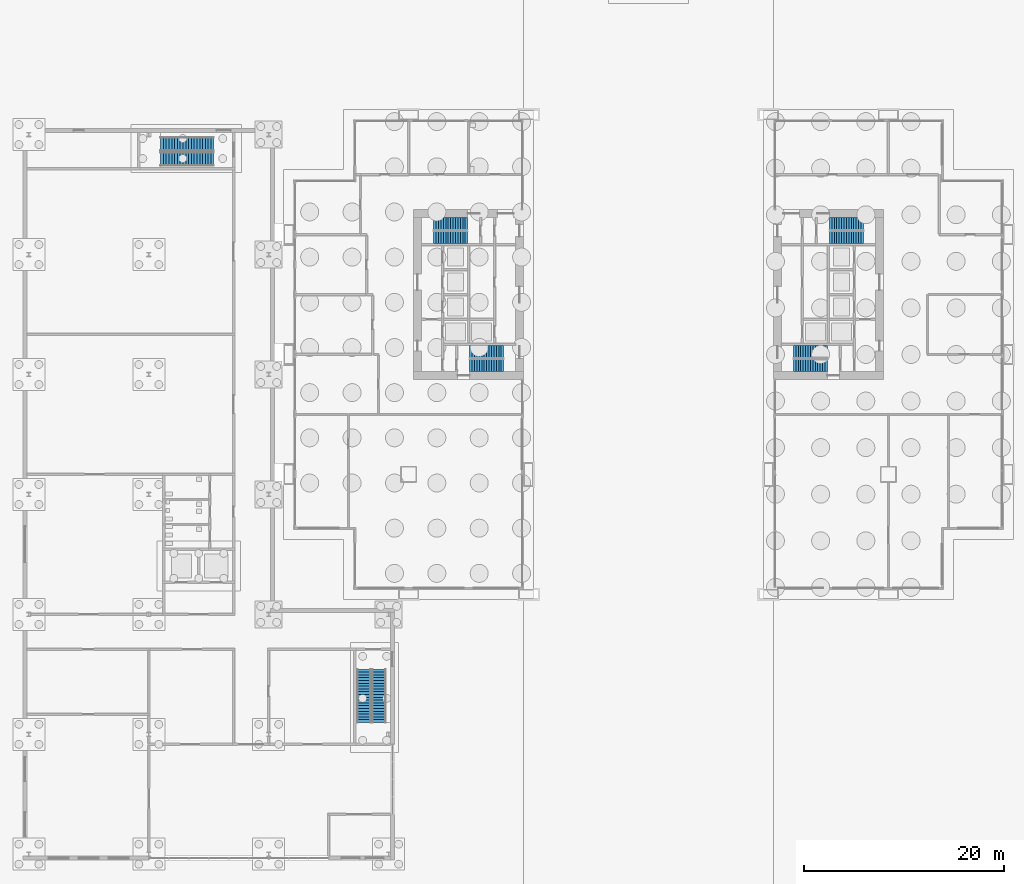
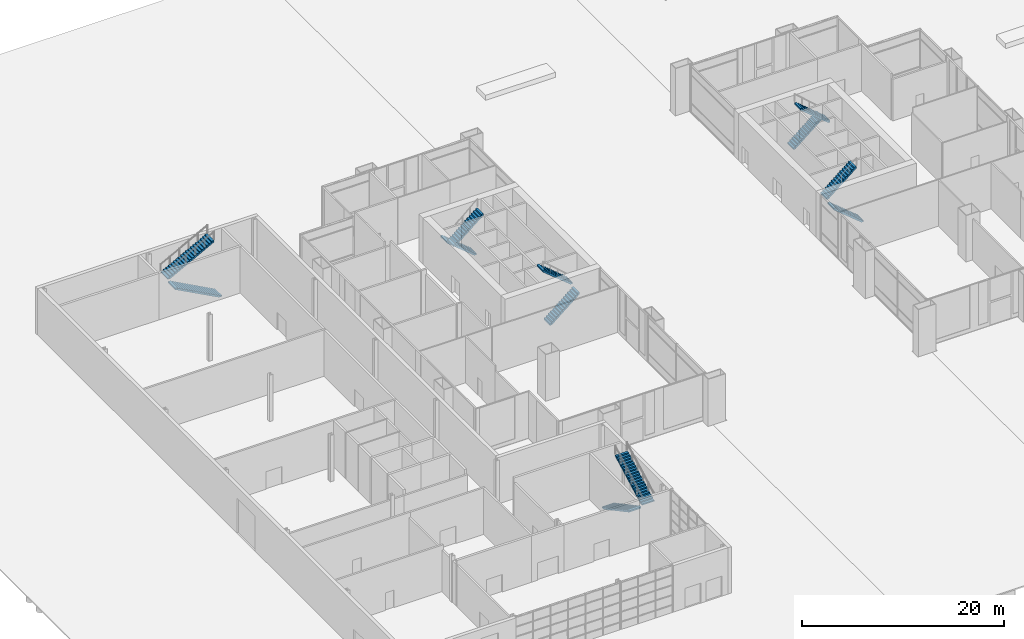
# One storey, part 26 of 29: 12 stair flights, 6 elements without a shape of their own.
"""IFC4 building model written with IfcOpenShell, lengths in metres."""

import ifcopenshell
import ifcopenshell.guid

model = None  # the IFC model being written
_history = None  # IfcOwnerHistory: only IFC2X3 demands one
_inside = {}  # id of a spatial element -> (the spatial element, [elements in it])
_under = {}  # id of a project, library or spatial element -> (it, [spatial elements below it])
_declared = {}  # id of a project -> (the project, [libraries it declares])
_typed = {}  # id of a type object -> (the type object, [elements of that type])
_made_of = {}  # id of a material, layer set ... -> (it, [elements and type objects made of it])


def new_model(schema):
    """Start an empty IFC model of exactly this schema.

    Asked for "IFC4X3", IfcOpenShell would pick the latest addendum, in which some entities
    have other attributes; the version numbers below select the first issue.
    IFC2X3 requires an IfcOwnerHistory on every rooted entity: one is made here for all.
    """
    global model, _history
    if schema == "IFC4X3":
        model = ifcopenshell.file(schema_version=(4, 3, 0, 0))
    else:
        model = ifcopenshell.file(schema=schema)
    _inside.clear()
    _under.clear()
    _declared.clear()
    _typed.clear()
    _made_of.clear()
    _history = None
    if model.schema == "IFC2X3":
        org = make("IfcOrganization", Name="unknown")
        user = make(
            "IfcPersonAndOrganization",
            ThePerson=make("IfcPerson", FamilyName="unknown"),
            TheOrganization=org,
        )
        app = make(
            "IfcApplication",
            ApplicationDeveloper=org,
            Version="unknown",
            ApplicationFullName="unknown",
            ApplicationIdentifier="unknown",
        )
        _history = make(
            "IfcOwnerHistory",
            OwningUser=user,
            OwningApplication=app,
            ChangeAction="ADDED",
            CreationDate=0,
        )
    return model


def make(cls, **values):
    """One entity of the class cls with the attributes given. An attribute that is None is left unset."""
    return model.create_entity(
        cls, **{name: value for name, value in values.items() if value is not None}
    )


def rooted(cls, **values):
    """An entity with a GlobalId (a new one), such as an element, a storey or a relation."""
    return make(cls, GlobalId=ifcopenshell.guid.new(), OwnerHistory=_history, **values)


def si_unit(unit_type, name, prefix=None):
    """IfcSIUnit, for example si_unit("LENGTHUNIT", "METRE", prefix="MILLI")."""
    return make("IfcSIUnit", UnitType=unit_type, Prefix=prefix, Name=name)


def assignment(units):
    """IfcUnitAssignment: the units of a project."""
    return None if units is None else make("IfcUnitAssignment", Units=units)


def point(xyz):
    """IfcCartesianPoint."""
    return None if xyz is None else make("IfcCartesianPoint", Coordinates=xyz)


def direction(xyz):
    """IfcDirection."""
    return None if xyz is None else make("IfcDirection", DirectionRatios=xyz)


def frame(location, z_axis=None, x_axis=None):
    """IfcAxis2Placement3D, a coordinate frame: its origin and axes. An axis left out is left unset."""
    return make(
        "IfcAxis2Placement3D",
        Location=point(location),
        Axis=direction(z_axis),
        RefDirection=direction(x_axis),
    )


def origin():
    """The frame at (0, 0, 0) with its axes left unset."""
    return frame((0.0, 0.0, 0.0))


def place(relative_to, where):
    """IfcLocalPlacement: puts the frame where relative to a parent placement (None: the world)."""
    return make(
        "IfcLocalPlacement", PlacementRelTo=relative_to, RelativePlacement=where
    )


def context(
    kind, dimensions, precision=None, world=None, true_north=None, identifier=None
):
    """IfcGeometricRepresentationContext, for example the 3D "Model" context."""
    return make(
        "IfcGeometricRepresentationContext",
        ContextIdentifier=identifier,
        ContextType=kind,
        CoordinateSpaceDimension=dimensions,
        Precision=precision,
        WorldCoordinateSystem=world,
        TrueNorth=true_north,
    )


def subcontext(parent, identifier, kind, view, scale=None):
    """IfcGeometricRepresentationSubContext, for example "Body" below "Model"."""
    return make(
        "IfcGeometricRepresentationSubContext",
        ContextIdentifier=identifier,
        ContextType=kind,
        ParentContext=parent,
        TargetScale=scale,
        TargetView=view,
    )


def project(units=None, contexts=None):
    """IfcProject with its units and contexts."""
    return rooted(
        "IfcProject",
        Name="project",
        RepresentationContexts=contexts,
        UnitsInContext=assignment(units),
    )


def spatial(cls, under=None, at=None, **own):
    """A site, building, storey or space (cls), placed at a placement, below another one or the project."""
    s = rooted(cls, ObjectPlacement=at, **own)
    if under is not None:
        _under.setdefault(under.id(), (under, []))[1].append(s)
    return s


def polyline(points):
    """IfcPolyline through the points."""
    return make("IfcPolyline", Points=[point(p) for p in points])


def outline(outer, holes=None, kind="AREA"):
    """IfcArbitraryClosedProfileDef: a profile drawn as a closed curve; with holes, ...WithVoids."""
    if holes is None:
        return make("IfcArbitraryClosedProfileDef", ProfileType=kind, OuterCurve=outer)
    return make(
        "IfcArbitraryProfileDefWithVoids",
        ProfileType=kind,
        OuterCurve=outer,
        InnerCurves=holes,
    )


def extrude(swept, where, along, depth):
    """IfcExtrudedAreaSolid: the profile swept, set in the frame where, extruded along a direction by depth."""
    return make(
        "IfcExtrudedAreaSolid",
        SweptArea=swept,
        Position=where,
        ExtrudedDirection=direction(along),
        Depth=depth,
    )


def shape(context_of_items, identifier, shape_type, items):
    """IfcShapeRepresentation: the items that make up one representation, for example the "Body"."""
    return make(
        "IfcShapeRepresentation",
        ContextOfItems=context_of_items,
        RepresentationIdentifier=identifier,
        RepresentationType=shape_type,
        Items=items,
    )


def material(Name=None, Category=None):
    """IfcMaterial."""
    return make("IfcMaterial", Name=Name, Category=Category)


def made_of(thing, what):
    """Note that an element or type object is made of a material, layer set ...; save() writes the relation."""
    if what is not None:
        _made_of.setdefault(what.id(), (what, []))[1].append(thing)
    return thing


def type_object(cls, material=None, **own):
    """A type object (cls), such as IfcWallType, which elements share."""
    return made_of(rooted(cls, **own), material)


def element(
    cls,
    number,
    at=None,
    inside=None,
    cuts=None,
    type_object=None,
    material=None,
    context=None,
    identifier="Body",
    shape_type=None,
    held_by="IfcProductDefinitionShape",
    body=None,
    shapes=None,
    **own,
):
    """One element of the class cls, such as IfcWall. Its Tag is "e" and its number.

    at: its placement. inside: the storey or other place that contains it. cuts: it is an
    opening in that element (IfcRelVoidsElement). A single representation is given by context,
    identifier, shape_type and body (its items); several are given by shapes. held_by: the class
    of the entity that holds the representations. save() writes the other relations.
    """
    e = rooted(cls, Tag="e%d" % number, ObjectPlacement=at, **own)
    if body is not None:
        shapes = [shape(context, identifier, shape_type, body)]
    if shapes is not None:
        e.Representation = make(held_by, Representations=shapes)
    if inside is not None:
        _inside.setdefault(inside.id(), (inside, []))[1].append(e)
    if cuts is not None:
        rooted(
            "IfcRelVoidsElement", RelatingBuildingElement=cuts, RelatedOpeningElement=e
        )
    if type_object is not None:
        _typed.setdefault(type_object.id(), (type_object, []))[1].append(e)
    return made_of(e, material)


def aggregate(whole, parts):
    """IfcRelAggregates: a whole, such as a stair, and the parts it consists of."""
    return rooted("IfcRelAggregates", RelatingObject=whole, RelatedObjects=parts)


def save(model, path):
    """Write the relations noted so far, then the file.

    IfcRelAggregates (storeys below a building ...), IfcRelContainedInSpatialStructure (elements
    in a storey), IfcRelDefinesByType, IfcRelAssociatesMaterial and IfcRelDeclares: one each for
    every whole, place, type object, material and project.
    """
    for whole, parts in _under.values():
        aggregate(whole, parts)
    for where, things in _inside.values():
        rooted(
            "IfcRelContainedInSpatialStructure",
            RelatedElements=things,
            RelatingStructure=where,
        )
    for kind, things in _typed.values():
        rooted("IfcRelDefinesByType", RelatedObjects=things, RelatingType=kind)
    for what, things in _made_of.values():
        rooted("IfcRelAssociatesMaterial", RelatedObjects=things, RelatingMaterial=what)
    for by, libraries in _declared.values():
        rooted("IfcRelDeclares", RelatingContext=by, RelatedDefinitions=libraries)
    model.write(path)


model = new_model("IFC4")

# Units and contexts
model_context = context("Model", 3, precision=1e-05, world=origin(), true_north=direction((0.0, 1.0)))
body_context = subcontext(model_context, "Body", "Model", "MODEL_VIEW")
ifc_project = project(units=[si_unit("LENGTHUNIT", "METRE"), si_unit("AREAUNIT", "SQUARE_METRE"), si_unit("VOLUMEUNIT", "CUBIC_METRE"), si_unit("PLANEANGLEUNIT", "RADIAN"), si_unit("MASSUNIT", "GRAM", prefix="KILO")], contexts=[model_context])

# Site, building, storey
site_placement = place(None, origin())
site = spatial("IfcSite", under=ifc_project, at=site_placement, CompositionType="ELEMENT")
building_placement = place(site_placement, origin())
building = spatial("IfcBuilding", under=site, at=building_placement, Name="Kitamizu Gate Tower and Museum", CompositionType="ELEMENT")
storey_placement = place(building_placement, origin())
storey = spatial("IfcBuildingStorey", under=building, at=storey_placement, Name="L00", CompositionType="ELEMENT", Elevation=0.0)

# Stair, stair flights
ifc_material_1 = material(Name="Concrete Fc30", Category="concrete")
stair_type_1 = type_object("IfcStairType", Name="Museum stair 40 risers", PredefinedType="HALF_TURN_STAIR", material=ifc_material_1)
stair_1_placement = place(storey_placement, origin())
stair_1 = element("IfcStair", 1, at=stair_1_placement, inside=storey, type_object=stair_type_1, Name="Exit stair S", PredefinedType="HALF_TURN_STAIR")
ifc_material_2 = material(Name="Concrete Fc30", Category="concrete")
stair_flight_type_1 = type_object("IfcStairFlightType", Name="Museum stair flight 1400", PredefinedType="STRAIGHT", material=ifc_material_2)
stair_flight_1_placement = place(storey_placement, frame((7.550048828125, -7.5, 0.0), z_axis=(0.0, 0.0, 1.0), x_axis=(0.0, -1.0, 0.0)))
stair_flight_1 = element("IfcStairFlight", 2, at=stair_flight_1_placement, type_object=stair_flight_type_1, Name="MST1 flight 1", NumberOfRisers=20, NumberOfTreads=19, PredefinedType="STRAIGHT", RiserHeight=0.15, TreadLength=0.28, context=body_context, shape_type="SweptSolid", body=[
    extrude(outline(polyline([(0.0, 0.0), (0.0, 0.14990234375), (0.280029296875, 0.14990234375), (0.280029296875, 0.300048828125), (0.56005859375, 0.300048828125), (0.56005859375, 0.449951171875), (0.840087890625, 0.449951171875), (0.840087890625, 0.60009765625), (1.1201171875, 0.60009765625), (1.1201171875, 0.75), (1.39990234375, 0.75), (1.39990234375, 0.89990234375), (1.679931640625, 0.89990234375), (1.679931640625, 1.050048828125), (1.9599609375, 1.050048828125), (1.9599609375, 1.199951171875), (2.239990234375, 1.199951171875), (2.239990234375, 1.35009765625), (2.52001953125, 1.35009765625), (2.52001953125, 1.5), (2.800048828125, 1.5), (2.800048828125, 1.64990234375), (3.080078125, 1.64990234375), (3.080078125, 1.800048828125), (3.360107421875, 1.800048828125), (3.360107421875, 1.949951171875), (3.639892578125, 1.949951171875), (3.639892578125, 2.10009765625), (3.919921875, 2.10009765625), (3.919921875, 2.25), (4.199951171875, 2.25), (4.199951171875, 2.39990234375), (4.47998046875, 2.39990234375), (4.47998046875, 2.550048828125), (4.760009765625, 2.550048828125), (4.760009765625, 2.699951171875), (5.0400390625, 2.699951171875), (5.0400390625, 2.85009765625), (5.320068359375, 2.85009765625), (5.320068359375, 3.0), (5.320068359375, 2.679931640625), (0.3173828125, 0.0), (0.0, 0.0)])), frame((0.0, 0.699951171875, 0.0), z_axis=(0.0, -1.0, 0.0), x_axis=(1.0, 0.0, 0.0)), (0.0, 0.0, 1.0), 1.39990234375),
])
stair_flight_2_placement = place(storey_placement, frame((9.050048828125, -12.820068359375, 3.0), z_axis=(0.0, 0.0, 1.0), x_axis=(0.0, 1.0, 0.0)))
stair_flight_2 = element("IfcStairFlight", 3, at=stair_flight_2_placement, type_object=stair_flight_type_1, Name="MST1 flight 2", NumberOfRisers=20, NumberOfTreads=19, PredefinedType="STRAIGHT", RiserHeight=0.15, TreadLength=0.28, context=body_context, shape_type="SweptSolid", body=[
    extrude(outline(polyline([(0.0, 0.0), (0.0, 0.14990234375), (0.280029296875, 0.14990234375), (0.280029296875, 0.300048828125), (0.56005859375, 0.300048828125), (0.56005859375, 0.449951171875), (0.840087890625, 0.449951171875), (0.840087890625, 0.60009765625), (1.1201171875, 0.60009765625), (1.1201171875, 0.75), (1.39990234375, 0.75), (1.39990234375, 0.89990234375), (1.679931640625, 0.89990234375), (1.679931640625, 1.050048828125), (1.9599609375, 1.050048828125), (1.9599609375, 1.199951171875), (2.239990234375, 1.199951171875), (2.239990234375, 1.35009765625), (2.52001953125, 1.35009765625), (2.52001953125, 1.5), (2.800048828125, 1.5), (2.800048828125, 1.64990234375), (3.080078125, 1.64990234375), (3.080078125, 1.800048828125), (3.360107421875, 1.800048828125), (3.360107421875, 1.949951171875), (3.639892578125, 1.949951171875), (3.639892578125, 2.10009765625), (3.919921875, 2.10009765625), (3.919921875, 2.25), (4.199951171875, 2.25), (4.199951171875, 2.39990234375), (4.47998046875, 2.39990234375), (4.47998046875, 2.550048828125), (4.760009765625, 2.550048828125), (4.760009765625, 2.699951171875), (5.0400390625, 2.699951171875), (5.0400390625, 2.85009765625), (5.320068359375, 2.85009765625), (5.320068359375, 3.0), (5.320068359375, 2.679931640625), (0.3173828125, 0.0), (0.0, 0.0)])), frame((0.0, 0.699951171875, 0.0), z_axis=(0.0, -1.0, 0.0), x_axis=(1.0, 0.0, 0.0)), (0.0, 0.0, 1.0), 1.39990234375),
])
aggregate(stair_1, [stair_flight_1, stair_flight_2])

stair_2_placement = place(storey_placement, origin())
stair_2 = element("IfcStair", 4, at=stair_2_placement, inside=storey, type_object=stair_type_1, Name="Exit stair N", PredefinedType="HALF_TURN_STAIR")
stair_flight_3_placement = place(storey_placement, frame((-7.5, 43.550048828125, 0.0), z_axis=(0.0, 0.0, 1.0), x_axis=(-1.0, 0.0, 0.0)))
stair_flight_3 = element("IfcStairFlight", 5, at=stair_flight_3_placement, type_object=stair_flight_type_1, Name="MST2 flight 1", NumberOfRisers=20, NumberOfTreads=19, PredefinedType="STRAIGHT", RiserHeight=0.15, TreadLength=0.28, context=body_context, shape_type="SweptSolid", body=[
    extrude(outline(polyline([(0.0, 0.0), (0.0, 0.14990234375), (0.280029296875, 0.14990234375), (0.280029296875, 0.300048828125), (0.56005859375, 0.300048828125), (0.56005859375, 0.449951171875), (0.840087890625, 0.449951171875), (0.840087890625, 0.60009765625), (1.1201171875, 0.60009765625), (1.1201171875, 0.75), (1.39990234375, 0.75), (1.39990234375, 0.89990234375), (1.679931640625, 0.89990234375), (1.679931640625, 1.050048828125), (1.9599609375, 1.050048828125), (1.9599609375, 1.199951171875), (2.239990234375, 1.199951171875), (2.239990234375, 1.35009765625), (2.52001953125, 1.35009765625), (2.52001953125, 1.5), (2.800048828125, 1.5), (2.800048828125, 1.64990234375), (3.080078125, 1.64990234375), (3.080078125, 1.800048828125), (3.360107421875, 1.800048828125), (3.360107421875, 1.949951171875), (3.639892578125, 1.949951171875), (3.639892578125, 2.10009765625), (3.919921875, 2.10009765625), (3.919921875, 2.25), (4.199951171875, 2.25), (4.199951171875, 2.39990234375), (4.47998046875, 2.39990234375), (4.47998046875, 2.550048828125), (4.760009765625, 2.550048828125), (4.760009765625, 2.699951171875), (5.0400390625, 2.699951171875), (5.0400390625, 2.85009765625), (5.320068359375, 2.85009765625), (5.320068359375, 3.0), (5.320068359375, 2.679931640625), (0.3173828125, 0.0), (0.0, 0.0)])), frame((0.0, 0.699951171875, 0.0), z_axis=(0.0, -1.0, 0.0), x_axis=(1.0, 0.0, 0.0)), (0.0, 0.0, 1.0), 1.39990234375),
])
stair_flight_4_placement = place(storey_placement, frame((-12.820068359375, 45.050048828125, 3.0), z_axis=(0.0, 0.0, 1.0), x_axis=(1.0, 0.0, 0.0)))
stair_flight_4 = element("IfcStairFlight", 6, at=stair_flight_4_placement, type_object=stair_flight_type_1, Name="MST2 flight 2", NumberOfRisers=20, NumberOfTreads=19, PredefinedType="STRAIGHT", RiserHeight=0.15, TreadLength=0.28, context=body_context, shape_type="SweptSolid", body=[
    extrude(outline(polyline([(0.0, 0.0), (0.0, 0.14990234375), (0.280029296875, 0.14990234375), (0.280029296875, 0.300048828125), (0.56005859375, 0.300048828125), (0.56005859375, 0.449951171875), (0.840087890625, 0.449951171875), (0.840087890625, 0.60009765625), (1.1201171875, 0.60009765625), (1.1201171875, 0.75), (1.39990234375, 0.75), (1.39990234375, 0.89990234375), (1.679931640625, 0.89990234375), (1.679931640625, 1.050048828125), (1.9599609375, 1.050048828125), (1.9599609375, 1.199951171875), (2.239990234375, 1.199951171875), (2.239990234375, 1.35009765625), (2.52001953125, 1.35009765625), (2.52001953125, 1.5), (2.800048828125, 1.5), (2.800048828125, 1.64990234375), (3.080078125, 1.64990234375), (3.080078125, 1.800048828125), (3.360107421875, 1.800048828125), (3.360107421875, 1.949951171875), (3.639892578125, 1.949951171875), (3.639892578125, 2.10009765625), (3.919921875, 2.10009765625), (3.919921875, 2.25), (4.199951171875, 2.25), (4.199951171875, 2.39990234375), (4.47998046875, 2.39990234375), (4.47998046875, 2.550048828125), (4.760009765625, 2.550048828125), (4.760009765625, 2.699951171875), (5.0400390625, 2.699951171875), (5.0400390625, 2.85009765625), (5.320068359375, 2.85009765625), (5.320068359375, 3.0), (5.320068359375, 2.679931640625), (0.3173828125, 0.0), (0.0, 0.0)])), frame((0.0, 0.699951171875, 0.0), z_axis=(0.0, -1.0, 0.0), x_axis=(1.0, 0.0, 0.0)), (0.0, 0.0, 1.0), 1.39990234375),
])
aggregate(stair_2, [stair_flight_3, stair_flight_4])

ifc_material_3 = material(Name="Concrete Fc42", Category="concrete")
stair_type_2 = type_object("IfcStairType", Name="Exit stair 1200 wide 200 rise 243 going", PredefinedType="HALF_TURN_STAIR", material=ifc_material_3)
stair_3_placement = place(storey_placement, origin())
stair_3 = element("IfcStair", 7, at=stair_3_placement, inside=storey, type_object=stair_type_2, Name="Exit stair ST1", PredefinedType="HALF_TURN_STAIR")
ifc_material_4 = material(Name="Concrete Fc42", Category="concrete")
stair_flight_type_2 = type_object("IfcStairFlightType", Name="Stair flight 1200 wide 200 rise 243 going", PredefinedType="STRAIGHT", material=ifc_material_4)
stair_flight_5_placement = place(storey_placement, frame((18.10009765625, 22.89990234375, 0.0), z_axis=(0.0, 0.0, 1.0), x_axis=(1.0, 0.0, 0.0)))
stair_flight_5 = element("IfcStairFlight", 8, at=stair_flight_5_placement, type_object=stair_flight_type_2, Name="ST1 flight 1", NumberOfRisers=15, NumberOfTreads=14, PredefinedType="STRAIGHT", RiserHeight=0.2, TreadLength=0.242857143, context=body_context, shape_type="SweptSolid", body=[
    extrude(outline(polyline([(0.0, 0.0), (0.0, 0.199951171875), (0.242919921875, 0.199951171875), (0.242919921875, 0.39990234375), (0.485595703125, 0.39990234375), (0.485595703125, 0.60009765625), (0.728515625, 0.60009765625), (0.728515625, 0.800048828125), (0.971435546875, 0.800048828125), (0.971435546875, 1.0), (1.21435546875, 1.0), (1.21435546875, 1.199951171875), (1.45703125, 1.199951171875), (1.45703125, 1.39990234375), (1.699951171875, 1.39990234375), (1.699951171875, 1.60009765625), (1.94287109375, 1.60009765625), (1.94287109375, 1.800048828125), (2.185791015625, 1.800048828125), (2.185791015625, 2.0), (2.428466796875, 2.0), (2.428466796875, 2.199951171875), (2.67138671875, 2.199951171875), (2.67138671875, 2.39990234375), (2.914306640625, 2.39990234375), (2.914306640625, 2.60009765625), (3.1572265625, 2.60009765625), (3.1572265625, 2.800048828125), (3.39990234375, 2.800048828125), (3.39990234375, 3.0), (3.39990234375, 2.605712890625), (0.23583984375, 0.0), (0.0, 0.0)])), frame((0.0, 0.60009765625, 0.0), z_axis=(0.0, -1.0, 0.0), x_axis=(1.0, 0.0, 0.0)), (0.0, 0.0, 1.0), 1.199951171875),
])
stair_flight_6_placement = place(storey_placement, frame((21.5, 24.300048828125, 3.0), z_axis=(0.0, 0.0, 1.0), x_axis=(-1.0, 0.0, 0.0)))
stair_flight_6 = element("IfcStairFlight", 9, at=stair_flight_6_placement, type_object=stair_flight_type_2, Name="ST1 flight 2", NumberOfRisers=15, NumberOfTreads=14, PredefinedType="STRAIGHT", RiserHeight=0.2, TreadLength=0.242857143, context=body_context, shape_type="SweptSolid", body=[
    extrude(outline(polyline([(0.0, 0.0), (0.0, 0.199951171875), (0.242919921875, 0.199951171875), (0.242919921875, 0.39990234375), (0.485595703125, 0.39990234375), (0.485595703125, 0.60009765625), (0.728515625, 0.60009765625), (0.728515625, 0.800048828125), (0.971435546875, 0.800048828125), (0.971435546875, 1.0), (1.21435546875, 1.0), (1.21435546875, 1.199951171875), (1.45703125, 1.199951171875), (1.45703125, 1.39990234375), (1.699951171875, 1.39990234375), (1.699951171875, 1.60009765625), (1.94287109375, 1.60009765625), (1.94287109375, 1.800048828125), (2.185791015625, 1.800048828125), (2.185791015625, 2.0), (2.428466796875, 2.0), (2.428466796875, 2.199951171875), (2.67138671875, 2.199951171875), (2.67138671875, 2.39990234375), (2.914306640625, 2.39990234375), (2.914306640625, 2.60009765625), (3.1572265625, 2.60009765625), (3.1572265625, 2.800048828125), (3.39990234375, 2.800048828125), (3.39990234375, 3.0), (3.39990234375, 2.605712890625), (0.23583984375, 0.0), (0.0, 0.0)])), frame((0.0, 0.60009765625, 0.0), z_axis=(0.0, -1.0, 0.0), x_axis=(1.0, 0.0, 0.0)), (0.0, 0.0, 1.0), 1.199951171875),
])
aggregate(stair_3, [stair_flight_5, stair_flight_6])

stair_4_placement = place(storey_placement, origin())
stair_4 = element("IfcStair", 10, at=stair_4_placement, inside=storey, type_object=stair_type_2, Name="Exit stair ST2", PredefinedType="HALF_TURN_STAIR")
stair_flight_7_placement = place(storey_placement, frame((17.89990234375, 37.10009765625, 0.0), z_axis=(0.0, 0.0, 1.0), x_axis=(-1.0, 0.0, 0.0)))
stair_flight_7 = element("IfcStairFlight", 11, at=stair_flight_7_placement, type_object=stair_flight_type_2, Name="ST2 flight 1", NumberOfRisers=15, NumberOfTreads=14, PredefinedType="STRAIGHT", RiserHeight=0.2, TreadLength=0.242857143, context=body_context, shape_type="SweptSolid", body=[
    extrude(outline(polyline([(0.0, 0.0), (0.0, 0.199951171875), (0.242919921875, 0.199951171875), (0.242919921875, 0.39990234375), (0.485595703125, 0.39990234375), (0.485595703125, 0.60009765625), (0.728515625, 0.60009765625), (0.728515625, 0.800048828125), (0.971435546875, 0.800048828125), (0.971435546875, 1.0), (1.21435546875, 1.0), (1.21435546875, 1.199951171875), (1.45703125, 1.199951171875), (1.45703125, 1.39990234375), (1.699951171875, 1.39990234375), (1.699951171875, 1.60009765625), (1.94287109375, 1.60009765625), (1.94287109375, 1.800048828125), (2.185791015625, 1.800048828125), (2.185791015625, 2.0), (2.428466796875, 2.0), (2.428466796875, 2.199951171875), (2.67138671875, 2.199951171875), (2.67138671875, 2.39990234375), (2.914306640625, 2.39990234375), (2.914306640625, 2.60009765625), (3.1572265625, 2.60009765625), (3.1572265625, 2.800048828125), (3.39990234375, 2.800048828125), (3.39990234375, 3.0), (3.39990234375, 2.605712890625), (0.23583984375, 0.0), (0.0, 0.0)])), frame((0.0, 0.60009765625, 0.0), z_axis=(0.0, -1.0, 0.0), x_axis=(1.0, 0.0, 0.0)), (0.0, 0.0, 1.0), 1.199951171875),
])
stair_flight_8_placement = place(storey_placement, frame((14.5, 35.699951171875, 3.0), z_axis=(0.0, 0.0, 1.0), x_axis=(1.0, 0.0, 0.0)))
stair_flight_8 = element("IfcStairFlight", 12, at=stair_flight_8_placement, type_object=stair_flight_type_2, Name="ST2 flight 2", NumberOfRisers=15, NumberOfTreads=14, PredefinedType="STRAIGHT", RiserHeight=0.2, TreadLength=0.242857143, context=body_context, shape_type="SweptSolid", body=[
    extrude(outline(polyline([(0.0, 0.0), (0.0, 0.199951171875), (0.242919921875, 0.199951171875), (0.242919921875, 0.39990234375), (0.485595703125, 0.39990234375), (0.485595703125, 0.60009765625), (0.728515625, 0.60009765625), (0.728515625, 0.800048828125), (0.971435546875, 0.800048828125), (0.971435546875, 1.0), (1.21435546875, 1.0), (1.21435546875, 1.199951171875), (1.45703125, 1.199951171875), (1.45703125, 1.39990234375), (1.699951171875, 1.39990234375), (1.699951171875, 1.60009765625), (1.94287109375, 1.60009765625), (1.94287109375, 1.800048828125), (2.185791015625, 1.800048828125), (2.185791015625, 2.0), (2.428466796875, 2.0), (2.428466796875, 2.199951171875), (2.67138671875, 2.199951171875), (2.67138671875, 2.39990234375), (2.914306640625, 2.39990234375), (2.914306640625, 2.60009765625), (3.1572265625, 2.60009765625), (3.1572265625, 2.800048828125), (3.39990234375, 2.800048828125), (3.39990234375, 3.0), (3.39990234375, 2.605712890625), (0.23583984375, 0.0), (0.0, 0.0)])), frame((0.0, 0.60009765625, 0.0), z_axis=(0.0, -1.0, 0.0), x_axis=(1.0, 0.0, 0.0)), (0.0, 0.0, 1.0), 1.199951171875),
])
aggregate(stair_4, [stair_flight_7, stair_flight_8])

stair_5_placement = place(storey_placement, origin())
stair_5 = element("IfcStair", 13, at=stair_5_placement, inside=storey, type_object=stair_type_2, Name="Exit stair ST3", PredefinedType="HALF_TURN_STAIR")
stair_flight_9_placement = place(storey_placement, frame((53.89990234375, 22.89990234375, 0.0), z_axis=(0.0, 0.0, 1.0), x_axis=(-1.0, 0.0, 0.0)))
stair_flight_9 = element("IfcStairFlight", 14, at=stair_flight_9_placement, type_object=stair_flight_type_2, Name="ST3 flight 1", NumberOfRisers=15, NumberOfTreads=14, PredefinedType="STRAIGHT", RiserHeight=0.2, TreadLength=0.242857143, context=body_context, shape_type="SweptSolid", body=[
    extrude(outline(polyline([(0.0, 0.0), (0.0, 0.199951171875), (0.242919921875, 0.199951171875), (0.242919921875, 0.39990234375), (0.485595703125, 0.39990234375), (0.485595703125, 0.60009765625), (0.728515625, 0.60009765625), (0.728515625, 0.800048828125), (0.971435546875, 0.800048828125), (0.971435546875, 1.0), (1.21435546875, 1.0), (1.21435546875, 1.199951171875), (1.45703125, 1.199951171875), (1.45703125, 1.39990234375), (1.699951171875, 1.39990234375), (1.699951171875, 1.60009765625), (1.94287109375, 1.60009765625), (1.94287109375, 1.800048828125), (2.185791015625, 1.800048828125), (2.185791015625, 2.0), (2.428466796875, 2.0), (2.428466796875, 2.199951171875), (2.67138671875, 2.199951171875), (2.67138671875, 2.39990234375), (2.914306640625, 2.39990234375), (2.914306640625, 2.60009765625), (3.1572265625, 2.60009765625), (3.1572265625, 2.800048828125), (3.39990234375, 2.800048828125), (3.39990234375, 3.0), (3.39990234375, 2.605712890625), (0.23583984375, 0.0), (0.0, 0.0)])), frame((0.0, 0.60009765625, 0.0), z_axis=(0.0, -1.0, 0.0), x_axis=(1.0, 0.0, 0.0)), (0.0, 0.0, 1.0), 1.199951171875),
])
stair_flight_10_placement = place(storey_placement, frame((50.5, 24.300048828125, 3.0), z_axis=(0.0, 0.0, 1.0), x_axis=(1.0, 0.0, 0.0)))
stair_flight_10 = element("IfcStairFlight", 15, at=stair_flight_10_placement, type_object=stair_flight_type_2, Name="ST3 flight 2", NumberOfRisers=15, NumberOfTreads=14, PredefinedType="STRAIGHT", RiserHeight=0.2, TreadLength=0.242857143, context=body_context, shape_type="SweptSolid", body=[
    extrude(outline(polyline([(0.0, 0.0), (0.0, 0.199951171875), (0.242919921875, 0.199951171875), (0.242919921875, 0.39990234375), (0.485595703125, 0.39990234375), (0.485595703125, 0.60009765625), (0.728515625, 0.60009765625), (0.728515625, 0.800048828125), (0.971435546875, 0.800048828125), (0.971435546875, 1.0), (1.21435546875, 1.0), (1.21435546875, 1.199951171875), (1.45703125, 1.199951171875), (1.45703125, 1.39990234375), (1.699951171875, 1.39990234375), (1.699951171875, 1.60009765625), (1.94287109375, 1.60009765625), (1.94287109375, 1.800048828125), (2.185791015625, 1.800048828125), (2.185791015625, 2.0), (2.428466796875, 2.0), (2.428466796875, 2.199951171875), (2.67138671875, 2.199951171875), (2.67138671875, 2.39990234375), (2.914306640625, 2.39990234375), (2.914306640625, 2.60009765625), (3.1572265625, 2.60009765625), (3.1572265625, 2.800048828125), (3.39990234375, 2.800048828125), (3.39990234375, 3.0), (3.39990234375, 2.605712890625), (0.23583984375, 0.0), (0.0, 0.0)])), frame((0.0, 0.60009765625, 0.0), z_axis=(0.0, -1.0, 0.0), x_axis=(1.0, 0.0, 0.0)), (0.0, 0.0, 1.0), 1.199951171875),
])
aggregate(stair_5, [stair_flight_9, stair_flight_10])

stair_6_placement = place(storey_placement, origin())
stair_6 = element("IfcStair", 16, at=stair_6_placement, inside=storey, type_object=stair_type_2, Name="Exit stair ST4", PredefinedType="HALF_TURN_STAIR")
stair_flight_11_placement = place(storey_placement, frame((54.10009765625, 37.10009765625, 0.0), z_axis=(0.0, 0.0, 1.0), x_axis=(1.0, 0.0, 0.0)))
stair_flight_11 = element("IfcStairFlight", 17, at=stair_flight_11_placement, type_object=stair_flight_type_2, Name="ST4 flight 1", NumberOfRisers=15, NumberOfTreads=14, PredefinedType="STRAIGHT", RiserHeight=0.2, TreadLength=0.242857143, context=body_context, shape_type="SweptSolid", body=[
    extrude(outline(polyline([(0.0, 0.0), (0.0, 0.199951171875), (0.242919921875, 0.199951171875), (0.242919921875, 0.39990234375), (0.485595703125, 0.39990234375), (0.485595703125, 0.60009765625), (0.728515625, 0.60009765625), (0.728515625, 0.800048828125), (0.971435546875, 0.800048828125), (0.971435546875, 1.0), (1.21435546875, 1.0), (1.21435546875, 1.199951171875), (1.45703125, 1.199951171875), (1.45703125, 1.39990234375), (1.699951171875, 1.39990234375), (1.699951171875, 1.60009765625), (1.94287109375, 1.60009765625), (1.94287109375, 1.800048828125), (2.185791015625, 1.800048828125), (2.185791015625, 2.0), (2.428466796875, 2.0), (2.428466796875, 2.199951171875), (2.67138671875, 2.199951171875), (2.67138671875, 2.39990234375), (2.914306640625, 2.39990234375), (2.914306640625, 2.60009765625), (3.1572265625, 2.60009765625), (3.1572265625, 2.800048828125), (3.39990234375, 2.800048828125), (3.39990234375, 3.0), (3.39990234375, 2.605712890625), (0.23583984375, 0.0), (0.0, 0.0)])), frame((0.0, 0.60009765625, 0.0), z_axis=(0.0, -1.0, 0.0), x_axis=(1.0, 0.0, 0.0)), (0.0, 0.0, 1.0), 1.199951171875),
])
stair_flight_12_placement = place(storey_placement, frame((57.5, 35.699951171875, 3.0), z_axis=(0.0, 0.0, 1.0), x_axis=(-1.0, 0.0, 0.0)))
stair_flight_12 = element("IfcStairFlight", 18, at=stair_flight_12_placement, type_object=stair_flight_type_2, Name="ST4 flight 2", NumberOfRisers=15, NumberOfTreads=14, PredefinedType="STRAIGHT", RiserHeight=0.2, TreadLength=0.242857143, context=body_context, shape_type="SweptSolid", body=[
    extrude(outline(polyline([(0.0, 0.0), (0.0, 0.199951171875), (0.242919921875, 0.199951171875), (0.242919921875, 0.39990234375), (0.485595703125, 0.39990234375), (0.485595703125, 0.60009765625), (0.728515625, 0.60009765625), (0.728515625, 0.800048828125), (0.971435546875, 0.800048828125), (0.971435546875, 1.0), (1.21435546875, 1.0), (1.21435546875, 1.199951171875), (1.45703125, 1.199951171875), (1.45703125, 1.39990234375), (1.699951171875, 1.39990234375), (1.699951171875, 1.60009765625), (1.94287109375, 1.60009765625), (1.94287109375, 1.800048828125), (2.185791015625, 1.800048828125), (2.185791015625, 2.0), (2.428466796875, 2.0), (2.428466796875, 2.199951171875), (2.67138671875, 2.199951171875), (2.67138671875, 2.39990234375), (2.914306640625, 2.39990234375), (2.914306640625, 2.60009765625), (3.1572265625, 2.60009765625), (3.1572265625, 2.800048828125), (3.39990234375, 2.800048828125), (3.39990234375, 3.0), (3.39990234375, 2.605712890625), (0.23583984375, 0.0), (0.0, 0.0)])), frame((0.0, 0.60009765625, 0.0), z_axis=(0.0, -1.0, 0.0), x_axis=(1.0, 0.0, 0.0)), (0.0, 0.0, 1.0), 1.199951171875),
])
aggregate(stair_6, [stair_flight_11, stair_flight_12])

save(model, "model.ifc")
